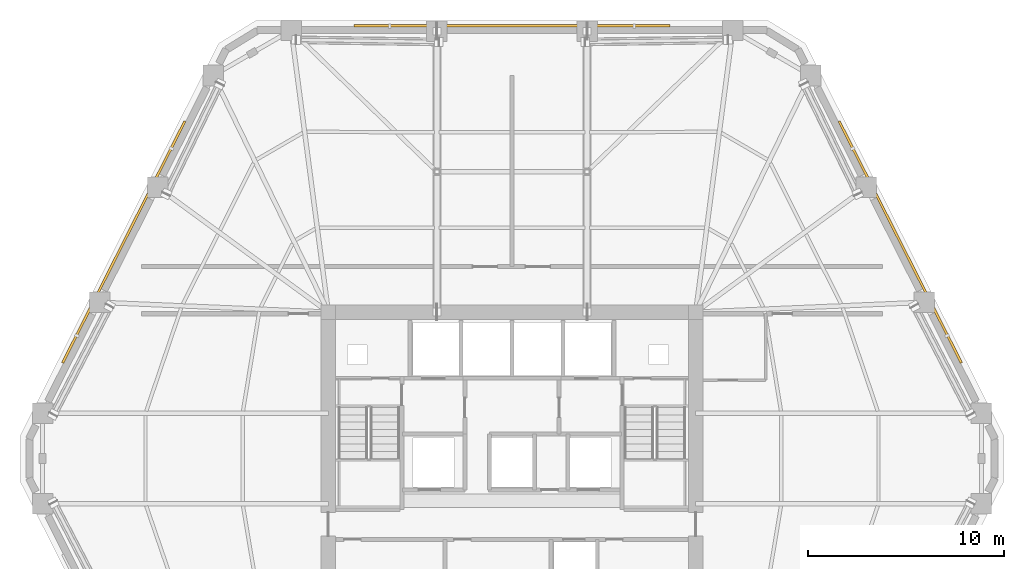
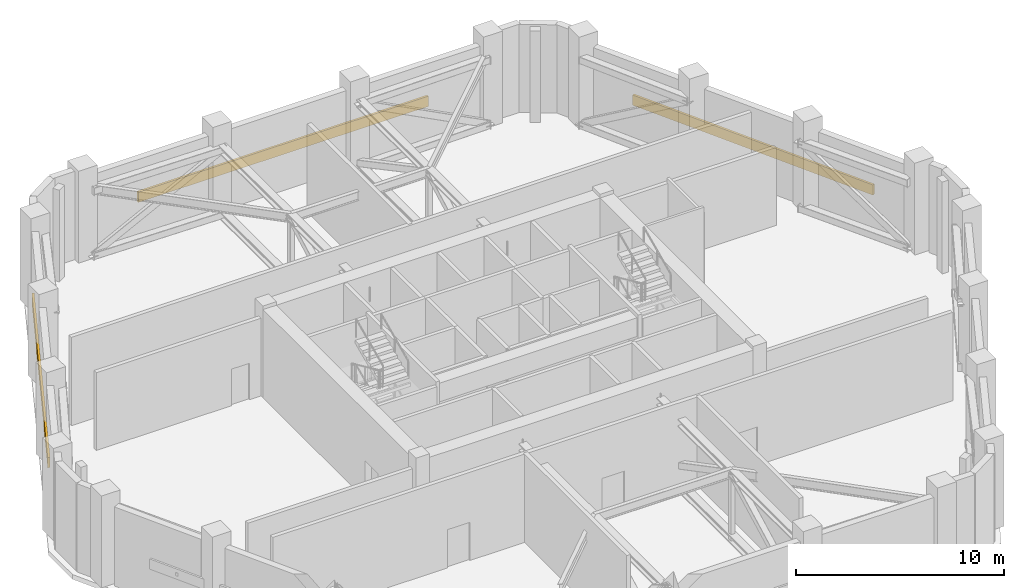
# One storey, part 15 of 15: 3 shading devices.
"""IFC4 building model written with IfcOpenShell, lengths in metres."""

from ifc_helpers import new_model, si_unit, direction, frame, origin, origin_2d, place, context, subcontext, project, spatial, rectangle, extrude, material, layer, layer_set, type_object, element, save


model = new_model("IFC4")

# Units and contexts
model_context = context("Model", 3, precision=1e-05, world=origin(), true_north=direction((0.0, 1.0)))
body_context = subcontext(model_context, "Body", "Model", "MODEL_VIEW")
ifc_project = project(units=[si_unit("LENGTHUNIT", "METRE"), si_unit("AREAUNIT", "SQUARE_METRE"), si_unit("VOLUMEUNIT", "CUBIC_METRE"), si_unit("PLANEANGLEUNIT", "RADIAN"), si_unit("MASSUNIT", "GRAM", prefix="KILO")], contexts=[model_context])

# Site, building, storey
site_placement = place(None, origin())
site = spatial("IfcSite", under=ifc_project, at=site_placement, CompositionType="ELEMENT")
building_placement = place(site_placement, origin())
building = spatial("IfcBuilding", under=site, at=building_placement, Name="Cinnabar Lancet Tower", CompositionType="ELEMENT")
storey_placement = place(building_placement, frame((0.0, 0.0, 148.10009765625)))
storey = spatial("IfcBuildingStorey", under=building, at=storey_placement, Name="L39", CompositionType="ELEMENT", Elevation=148.10009765625)

# Shading devices
ifc_material = material(Name="Anodized acoustic plant weather louvre", Category="aluminium")
ifc_layer = layer(ifc_material, 0.094970703125)
ifc_layer_set = layer_set([ifc_layer], Name="Anodized acoustic plant weather louvre")
shading_device_type = type_object("IfcShadingDeviceType", Name="ENV-SHD-LVR-600", PredefinedType="JALOUSIE", material=ifc_layer_set)
shading_device_1_placement = place(storey_placement, frame((52.215087890625, 36.85595703125, 1.849853515625), z_axis=(0.0, 0.0, 1.0), x_axis=(-0.45142270618, 0.892310226516, 0.0)))
element("IfcShadingDevice", 1, at=shading_device_1_placement, inside=storey, type_object=shading_device_type, Name="L39 Face 3 Acoustic Plant Weather Louvre", PredefinedType="JALOUSIE", context=body_context, shape_type="SweptSolid", body=[
    extrude(rectangle(XDim=13.823974609375, YDim=0.1201171875, at=origin_2d()), origin(), (0.0, 0.0, 1.0), 0.60009765625),
])
shading_device_2_placement = place(storey_placement, frame((32.39990234375, 47.889892578125, 1.849853515625), z_axis=(0.0, 0.0, 1.0), x_axis=(-1.0, 0.0, 0.0)))
element("IfcShadingDevice", 2, at=shading_device_2_placement, inside=storey, type_object=shading_device_type, Name="L39 Face 4 Acoustic Plant Weather Louvre", PredefinedType="JALOUSIE", context=body_context, shape_type="SweptSolid", body=[
    extrude(rectangle(XDim=16.1259765625, YDim=0.1201171875, at=origin_2d()), origin(), (0.0, 0.0, 1.0), 0.60009765625),
])
shading_device_3_placement = place(storey_placement, frame((12.5849609375, 36.85595703125, 1.849853515625), z_axis=(0.0, 0.0, 1.0), x_axis=(-0.45142270618, -0.892310226516, 0.0)))
element("IfcShadingDevice", 3, at=shading_device_3_placement, inside=storey, type_object=shading_device_type, Name="L39 Face 5 Acoustic Plant Weather Louvre", PredefinedType="JALOUSIE", context=body_context, shape_type="SweptSolid", body=[
    extrude(rectangle(XDim=13.823974609375, YDim=0.1201171875, at=origin_2d()), origin(), (0.0, 0.0, 1.0), 0.60009765625),
])

save(model, "model.ifc")
